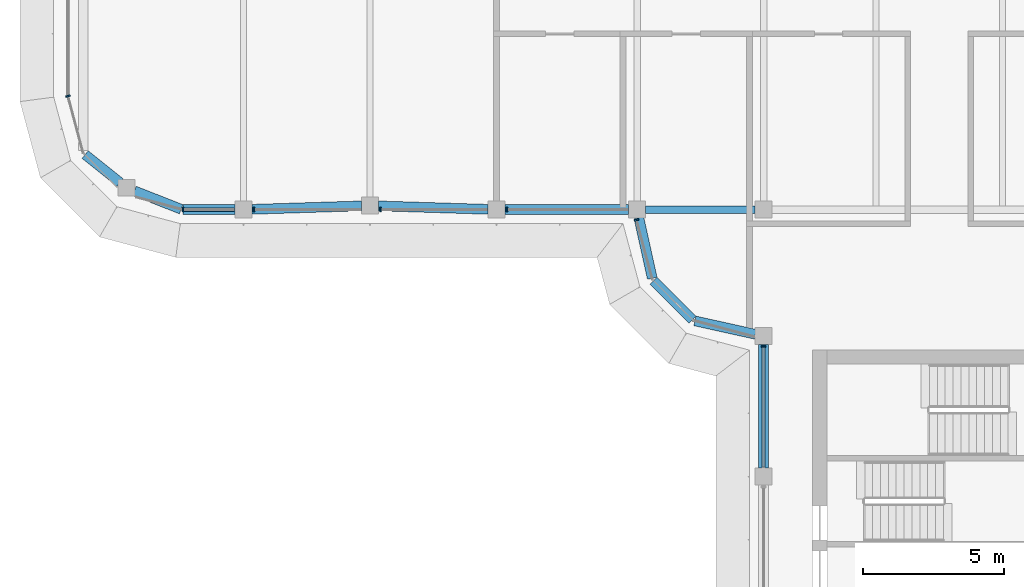
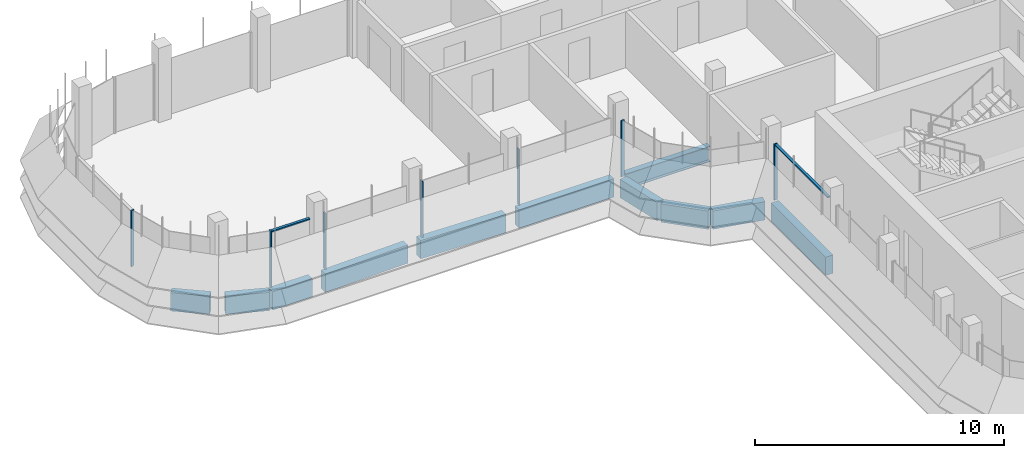
# One storey, part 3 of 19: 11 beams, 9 members, 4 elements without a shape of their own.
"""IFC4 building model written with IfcOpenShell, lengths in metres."""

from ifc_helpers import new_model, si_unit, direction, frame, origin, origin_2d, place, context, subcontext, project, spatial, polyline, rectangle, i_section, outline, extrude, source, transform, mapped, material, material_profile, profile_set, type_object, element, aggregate, save


model = new_model("IFC4")

# Units and contexts
model_context = context("Model", 3, precision=1e-05, world=origin(), true_north=direction((0.0, 1.0)))
body_context = subcontext(model_context, "Body", "Model", "MODEL_VIEW")
ifc_project = project(units=[si_unit("LENGTHUNIT", "METRE"), si_unit("AREAUNIT", "SQUARE_METRE"), si_unit("VOLUMEUNIT", "CUBIC_METRE"), si_unit("PLANEANGLEUNIT", "RADIAN"), si_unit("MASSUNIT", "GRAM", prefix="KILO")], contexts=[model_context])

# Site, building, storey
site_placement = place(None, origin())
site = spatial("IfcSite", under=ifc_project, at=site_placement, CompositionType="ELEMENT")
building_placement = place(site_placement, origin())
building = spatial("IfcBuilding", under=site, at=building_placement, Name="Zarbagh Exchange Tower", CompositionType="ELEMENT")
storey_placement = place(building_placement, frame((0.0, 0.0, 257.39990234375)))
storey = spatial("IfcBuildingStorey", under=building, at=storey_placement, Name="L63", CompositionType="ELEMENT", Elevation=257.39990234375)

# Beams
ifc_material_1 = material(Name="Steel ASTM A992 Gr 50", Category="steel")
ifc_material_profile_1 = material_profile(ifc_material_1, i_section(OverallWidth=0.2666015625, OverallDepth=0.7568359375, WebThickness=0.013916015625, FlangeThickness=0.019287109375, at=origin_2d()), Name="W30X108")
ifc_profile_set_1 = profile_set([ifc_material_profile_1], Name="Steel ASTM A992 Gr 50")
beam_type_1 = type_object("IfcBeamType", Name="Floor girder W30X108", PredefinedType="BEAM", material=ifc_profile_set_1)
beam_1_placement = place(storey_placement, frame((-10.449951171875, -6.25, -0.5283203125), z_axis=(1.0, 0.0, 0.0), x_axis=(0.0, 1.0, 0.0)))
element("IfcBeam", 1, at=beam_1_placement, inside=storey, type_object=beam_type_1, Name="Steel girder", PredefinedType="BEAM", context=body_context, shape_type="SweptSolid", body=[
    extrude(i_section(OverallWidth=0.2666015625, OverallDepth=0.7568359375, WebThickness=0.013916015625, FlangeThickness=0.019287109375, at=origin_2d()), origin(), (0.0, 0.0, 1.0), 3.89990234375),
])
ifc_material_2 = material(Name="Concrete C40/50", Category="concrete")
ifc_material_profile_2 = material_profile(ifc_material_2, rectangle(XDim=0.35009765625, YDim=0.89990234375, at=origin_2d()), Name="RC spandrel beam 350 x 900 C40/50")
ifc_profile_set_2 = profile_set([ifc_material_profile_2], Name="Concrete C40/50")
beam_type_2 = type_object("IfcBeamType", Name="RC spandrel beam 350 x 900 C40/50", PredefinedType="SPANDREL", material=ifc_profile_set_2)
beam_2_placement = place(storey_placement, frame((-6.25, -15.449951171875, -0.599853515625), z_axis=(0.0, 1.0, 0.0), x_axis=(-1.0, 0.0, 0.0)))
element("IfcBeam", 2, at=beam_2_placement, inside=storey, type_object=beam_type_2, Name="RC spandrel beam", PredefinedType="SPANDREL", context=body_context, shape_type="SweptSolid", body=[
    extrude(rectangle(XDim=0.35009765625, YDim=0.89990234375, at=origin_2d()), origin(), (0.0, 0.0, 1.0), 4.39990234375),
])
beam_3_placement = place(storey_placement, frame((-6.54296875, -10.685302734375, -0.599853515625), z_axis=(-0.976387662047, 0.216025770228, 0.0), x_axis=(-0.216025770228, -0.976387662047, 0.0)))
element("IfcBeam", 3, at=beam_3_placement, inside=storey, type_object=beam_type_2, Name="RC spandrel beam", PredefinedType="SPANDREL", context=body_context, shape_type="SweptSolid", body=[
    extrude(rectangle(XDim=0.35009765625, YDim=0.89990234375, at=origin_2d()), origin(), (0.0, 0.0, 1.0), 2.200439453125),
])
beam_4_placement = place(storey_placement, frame((-8.77734375, -10.16259765625, -0.599853515625), z_axis=(-0.707106781187, 0.707106781187, 0.0), x_axis=(-0.707106781187, -0.707106781187, 0.0)))
element("IfcBeam", 4, at=beam_4_placement, inside=storey, type_object=beam_type_2, Name="RC spandrel beam", PredefinedType="SPANDREL", context=body_context, shape_type="SweptSolid", body=[
    extrude(rectangle(XDim=0.35009765625, YDim=0.89990234375, at=origin_2d()), origin(), (0.0, 0.0, 1.0), 1.958984375),
])
beam_5_placement = place(storey_placement, frame((-10.2099609375, -8.69140625, -0.599853515625), z_axis=(-0.216025770228, 0.976387662047, 0.0), x_axis=(-0.976387662047, -0.216025770228, 0.0)))
element("IfcBeam", 5, at=beam_5_placement, inside=storey, type_object=beam_type_2, Name="RC spandrel beam", PredefinedType="SPANDREL", context=body_context, shape_type="SweptSolid", body=[
    extrude(rectangle(XDim=0.35009765625, YDim=0.89990234375, at=origin_2d()), origin(), (0.0, 0.0, 1.0), 2.200439453125),
])
beam_6_placement = place(storey_placement, frame((-11.050048828125, -6.25, -0.599853515625), z_axis=(-1.0, 0.0, 0.0), x_axis=(0.0, -1.0, 0.0)))
element("IfcBeam", 6, at=beam_6_placement, inside=storey, type_object=beam_type_2, Name="RC spandrel beam", PredefinedType="SPANDREL", context=body_context, shape_type="SweptSolid", body=[
    extrude(rectangle(XDim=0.35009765625, YDim=0.89990234375, at=origin_2d()), origin(), (0.0, 0.0, 1.0), 4.39990234375),
])
for number, where, z_axis, x_axis, name in (
    (7, (-16.0498046875, -6.24072265625, -0.599853515625), (-0.999516460907, 0.031094121249, 0.0), (-0.031094121249, -0.999516460907, 0.0), "RC spandrel beam"),
    (8, (-20.5498046875, -6.119384765625, -0.599853515625), (-0.999516460907, -0.031094121249, 0.0), (0.031094121249, -0.999516460907, 0.0), "RC spandrel beam"),
):
    element("IfcBeam", number, at=place(storey_placement, frame(where, z_axis=z_axis, x_axis=x_axis)), inside=storey, type_object=beam_type_2, Name=name, PredefinedType="SPANDREL", context=body_context, shape_type="SweptSolid", body=[
        extrude(rectangle(XDim=0.35009765625, YDim=0.89990234375, at=origin_2d()), origin(), (0.0, 0.0, 1.0), 3.90234375),
    ])
beam_7_placement = place(storey_placement, frame((-25.050048828125, -6.25, -0.599853515625), z_axis=(-1.0, 0.0, 0.0), x_axis=(0.0, -1.0, 0.0)))
element("IfcBeam", 9, at=beam_7_placement, inside=storey, type_object=beam_type_2, Name="RC spandrel beam", PredefinedType="SPANDREL", context=body_context, shape_type="SweptSolid", body=[
    extrude(rectangle(XDim=0.35009765625, YDim=0.89990234375, at=origin_2d()), origin(), (0.0, 0.0, 1.0), 1.850830078125),
])
beam_8_placement = place(storey_placement, frame((-26.965087890625, -6.23779296875, -0.599853515625), z_axis=(-0.930859366381, 0.365377667655, 0.0), x_axis=(-0.365377667655, -0.930859366381, 0.0)))
element("IfcBeam", 10, at=beam_8_placement, inside=storey, type_object=beam_type_2, Name="RC spandrel beam", PredefinedType="SPANDREL", context=body_context, shape_type="SweptSolid", body=[
    extrude(rectangle(XDim=0.35009765625, YDim=0.89990234375, at=origin_2d()), origin(), (0.0, 0.0, 1.0), 1.787353515625),
])
beam_9_placement = place(storey_placement, frame((-29.14208984375, -5.28759765625, -0.599853515625), z_axis=(-0.780584122498, 0.625050740104, 0.0), x_axis=(-0.625050740104, -0.780584122498, 0.0)))
element("IfcBeam", 11, at=beam_9_placement, inside=storey, type_object=beam_type_2, Name="RC spandrel beam", PredefinedType="SPANDREL", context=body_context, shape_type="SweptSolid", body=[
    extrude(rectangle(XDim=0.35009765625, YDim=0.89990234375, at=origin_2d()), origin(), (0.0, 0.0, 1.0), 1.590087890625),
])

# Curtain wall, member
ifc_material_3 = material(Name="Anodised aluminium frame and glazing", Category="aluminium")
curtain_wall_type = type_object("IfcCurtainWallType", Name="CWB Ribbon glazing, upper zones", PredefinedType="NOTDEFINED", material=ifc_material_3)
curtain_wall_1_placement = place(storey_placement, origin())
curtain_wall_1 = element("IfcCurtainWall", 12, at=curtain_wall_1_placement, inside=storey, type_object=curtain_wall_type, Name="CWB62 curtain wall", PredefinedType="NOTDEFINED")
ifc_material_4 = material(Name="Anodised aluminium frame", Category="aluminium")
member_type_1 = type_object("IfcMemberType", Name="MUB Mullion, anodised aluminium frame", PredefinedType="MULLION", material=ifc_material_4)
shared_shape_1 = source(origin(), body_context, "Body", "SweptSolid", [
    extrude(outline(polyline([(0.0, -0.080078125), (0.06005859375, -0.080078125), (0.06005859375, 0.080078125), (0.0, 0.080078125), (0.0, -0.080078125)])), origin(), (0.0, 0.0, 1.0), 2.75),
])
placement = place(storey_placement, origin())
member_1 = element("IfcMember", 13, at=placement, type_object=member_type_1, Name="CWB62 mullion 1.1", PredefinedType="MULLION", context=body_context, shape_type="MappedRepresentation", body=[
    mapped(shared_shape_1, transform((-31.0, -2.18408203125, 0.0), x_axis=(0.258824779902, -0.965924289636, 0.0), y_axis=(0.965924289636, 0.258824779902, 0.0), z_axis=(0.0, 0.0, 1.0))),
])
aggregate(curtain_wall_1, [member_1])

# Curtain wall, members
curtain_wall_2_placement = place(storey_placement, origin())
curtain_wall_2 = element("IfcCurtainWall", 14, at=curtain_wall_2_placement, inside=storey, type_object=curtain_wall_type, Name="CWB65 curtain wall", PredefinedType="NOTDEFINED")
member_2 = element("IfcMember", 15, at=placement, type_object=member_type_1, Name="CWB65 mullion 1.1", PredefinedType="MULLION", context=body_context, shape_type="MappedRepresentation", body=[
    mapped(shared_shape_1, transform((-26.93408203125, -6.25, 0.0), x_axis=(1.0, 0.0, 0.0), y_axis=(0.0, 1.0, 0.0), z_axis=(0.0, 0.0, 1.0))),
])
member_3 = element("IfcMember", 16, at=placement, type_object=member_type_1, Name="CWB65 mullion 2.1", PredefinedType="MULLION", context=body_context, shape_type="MappedRepresentation", body=[
    mapped(shared_shape_1, transform((-24.409912109375, -6.25, 0.0), x_axis=(1.0, 0.0, 0.0), y_axis=(0.0, 1.0, 0.0), z_axis=(0.0, 0.0, 1.0))),
])
member_4 = element("IfcMember", 17, at=placement, type_object=member_type_1, Name="CWB65 mullion 3.1", PredefinedType="MULLION", context=body_context, shape_type="MappedRepresentation", body=[
    mapped(shared_shape_1, transform((-19.909912109375, -6.25, 0.0), x_axis=(1.0, 0.0, 0.0), y_axis=(0.0, 1.0, 0.0), z_axis=(0.0, 0.0, 1.0))),
])
member_5 = element("IfcMember", 18, at=placement, type_object=member_type_1, Name="CWB65 mullion 4.1", PredefinedType="MULLION", context=body_context, shape_type="MappedRepresentation", body=[
    mapped(shared_shape_1, transform((-15.409912109375, -6.25, 0.0), x_axis=(1.0, 0.0, 0.0), y_axis=(0.0, 1.0, 0.0), z_axis=(0.0, 0.0, 1.0))),
])

# Curtain wall, member
curtain_wall_3_placement = place(storey_placement, origin())
curtain_wall_3 = element("IfcCurtainWall", 19, at=curtain_wall_3_placement, inside=storey, type_object=curtain_wall_type, Name="CWB41 curtain wall", PredefinedType="NOTDEFINED")
member_6 = element("IfcMember", 20, at=placement, type_object=member_type_1, Name="CWB41 mullion 1.1", PredefinedType="MULLION", context=body_context, shape_type="MappedRepresentation", body=[
    mapped(shared_shape_1, transform((-10.775146484375, -6.590087890625, 0.0), x_axis=(0.258824779902, -0.965924289636, 0.0), y_axis=(0.965924289636, 0.258824779902, 0.0), z_axis=(0.0, 0.0, 1.0))),
])
aggregate(curtain_wall_3, [member_6])

curtain_wall_4_placement = place(storey_placement, origin())
curtain_wall_4 = element("IfcCurtainWall", 21, at=curtain_wall_4_placement, inside=storey, type_object=curtain_wall_type, Name="CWB53 curtain wall", PredefinedType="NOTDEFINED")
member_7 = element("IfcMember", 22, at=placement, type_object=member_type_1, Name="CWB53 mullion 1.1", PredefinedType="MULLION", context=body_context, shape_type="MappedRepresentation", body=[
    mapped(shared_shape_1, transform((-6.25, -11.090087890625, 0.0), x_axis=(0.0, -1.0, 0.0), y_axis=(1.0, 0.0, 0.0), z_axis=(0.0, 0.0, 1.0))),
])

# Member
member_type_2 = type_object("IfcMemberType", Name="TRB Transom, anodised aluminium frame", PredefinedType="USERDEFINED", material=ifc_material_4)
shared_shape_2 = source(origin(), body_context, "Body", "SweptSolid", [
    extrude(outline(polyline([(-0.06005859375, -0.06005859375), (0.0, -0.06005859375), (0.0, 0.06005859375), (-0.06005859375, 0.06005859375), (-0.06005859375, -0.06005859375)])), origin(), (0.0, 0.0, 1.0), 1.7841796875),
])
member_8 = element("IfcMember", 23, at=placement, type_object=member_type_2, Name="CWB65 transom 1.1", ObjectType="TRANSOM", PredefinedType="USERDEFINED", context=body_context, shape_type="MappedRepresentation", body=[
    mapped(shared_shape_2, transform((-26.874267578125, -6.25, 2.75), x_axis=(0.0, 0.0, 1.0), y_axis=(0.0, -1.0, 0.0), z_axis=(1.0, 0.0, 0.0))),
])

aggregate(curtain_wall_2, [member_2, member_8, member_3, member_4, member_5])

shared_shape_3 = source(origin(), body_context, "Body", "SweptSolid", [
    extrude(outline(polyline([(-0.06005859375, -0.06005859375), (0.0, -0.06005859375), (0.0, 0.06005859375), (-0.06005859375, 0.06005859375), (-0.06005859375, -0.06005859375)])), origin(), (0.0, 0.0, 1.0), 4.260009765625),
])
member_9 = element("IfcMember", 24, at=placement, type_object=member_type_2, Name="CWB53 transom 1.1", ObjectType="TRANSOM", PredefinedType="USERDEFINED", context=body_context, shape_type="MappedRepresentation", body=[
    mapped(shared_shape_3, transform((-6.25, -11.150146484375, 2.75), x_axis=(0.0, 0.0, 1.0), y_axis=(-1.0, 0.0, 0.0), z_axis=(0.0, -1.0, 0.0))),
])

aggregate(curtain_wall_4, [member_7, member_9])

save(model, "model.ifc")
